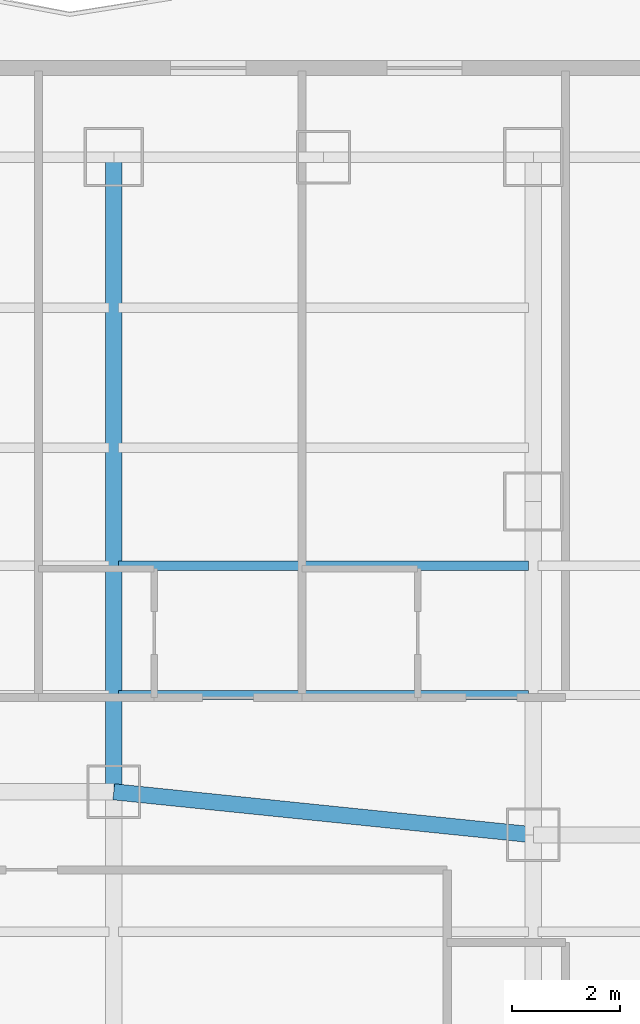
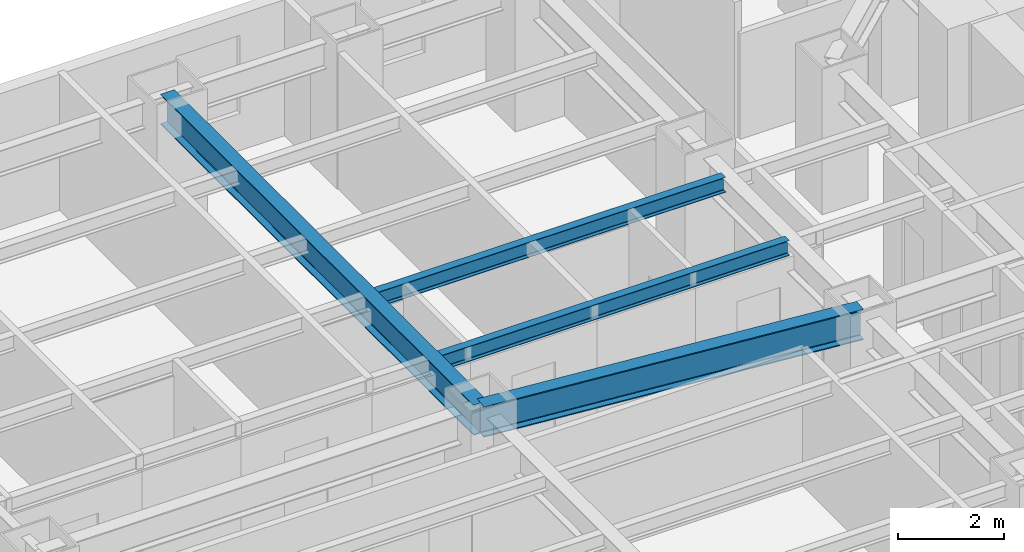
# One storey, part 15 of 33: 4 beams.
"""IFC4 building model written with IfcOpenShell, lengths in metres."""

from ifc_helpers import new_model, si_unit, direction, frame, origin, origin_2d, place, context, subcontext, project, spatial, i_section, extrude, material, material_profile, profile_set, type_object, element, save


model = new_model("IFC4")

# Units and contexts
model_context = context("Model", 3, precision=1e-05, world=origin(), true_north=direction((0.0, 1.0)))
body_context = subcontext(model_context, "Body", "Model", "MODEL_VIEW")
ifc_project = project(units=[si_unit("LENGTHUNIT", "METRE"), si_unit("AREAUNIT", "SQUARE_METRE"), si_unit("VOLUMEUNIT", "CUBIC_METRE"), si_unit("PLANEANGLEUNIT", "RADIAN"), si_unit("MASSUNIT", "GRAM", prefix="KILO")], contexts=[model_context])

# Site, building, storey
site_placement = place(None, origin())
site = spatial("IfcSite", under=ifc_project, at=site_placement, CompositionType="ELEMENT")
building_placement = place(site_placement, origin())
building = spatial("IfcBuilding", under=site, at=building_placement, Name="Hatsunagi Terrace Concourse", CompositionType="ELEMENT")
storey_placement = place(building_placement, frame((0.0, 0.0, 43.300048828125)))
storey = spatial("IfcBuildingStorey", under=building, at=storey_placement, Name="L10", CompositionType="ELEMENT", Elevation=43.300048828125)

# Beams
ifc_material_1 = material(Name="Steel SN490B", Category="steel")
ifc_material_profile_1 = material_profile(ifc_material_1, i_section(OverallWidth=0.300048828125, OverallDepth=0.699951171875, WebThickness=0.012939453125, FlangeThickness=0.02392578125, FilletRadius=0.02197265625, at=origin_2d()), Name="H-700x300x13x24")
ifc_profile_set_1 = profile_set([ifc_material_profile_1], Name="Steel SN490B")
beam_type_1 = type_object("IfcBeamType", Name="HotelFloorGirder_H_700x300", PredefinedType="BEAM", material=ifc_profile_set_1)
beam_1_placement = place(storey_placement, frame((11.39990234375, 36.800048828125, 2.780029296875), z_axis=(0.0, 1.0, 0.0), x_axis=(-1.0, 0.0, 0.0)))
element("IfcBeam", 1, at=beam_1_placement, inside=storey, type_object=beam_type_1, Name="Beam G-04 BM-L10-NS-11-36", PredefinedType="BEAM", context=body_context, shape_type="SweptSolid", body=[
    extrude(i_section(OverallWidth=0.300048828125, OverallDepth=0.699951171875, WebThickness=0.012939453125, FlangeThickness=0.02392578125, FilletRadius=0.02197265625, at=origin_2d()), origin(), (0.0, 0.0, 1.0), 11.800048828125),
])
beam_2_placement = place(storey_placement, frame((11.39990234375, 36.800048828125, 2.780029296875), z_axis=(0.994780871372, -0.102034395927, 0.0), x_axis=(0.102034395927, 0.994780871372, 0.0)))
element("IfcBeam", 2, at=beam_2_placement, inside=storey, type_object=beam_type_1, Name="Beam G-04 BM-L10-EW-2", PredefinedType="BEAM", context=body_context, shape_type="SweptSolid", body=[
    extrude(i_section(OverallWidth=0.300048828125, OverallDepth=0.699951171875, WebThickness=0.012939453125, FlangeThickness=0.02392578125, FilletRadius=0.02197265625, at=origin_2d()), origin(), (0.0, 0.0, 1.0), 7.841064453125),
])
ifc_material_2 = material(Name="Steel SN490B", Category="steel")
ifc_material_profile_2 = material_profile(ifc_material_2, i_section(OverallWidth=0.175048828125, OverallDepth=0.35009765625, WebThickness=0.007080078125, FlangeThickness=0.010986328125, FilletRadius=0.012939453125, at=origin_2d()), Name="H-350x175x7x11")
ifc_profile_set_2 = profile_set([ifc_material_profile_2], Name="Steel SN490B")
beam_type_2 = type_object("IfcBeamType", Name="HotelJoist_H_350x175", PredefinedType="JOIST", material=ifc_profile_set_2)
for number, where, z_axis, x_axis, name in (
    (3, (11.485107421875, 38.60009765625, 2.954833984375), (1.0, 0.0, 0.0), (0.0, 1.0, 0.0), "Beam J-02 J-L10-W-11-386"),
    (4, (11.485107421875, 41.0, 2.954833984375), (1.0, 0.0, 0.0), (0.0, 1.0, 0.0), "Beam J-02 J-L10-W-11-410"),
):
    element("IfcBeam", number, at=place(storey_placement, frame(where, z_axis=z_axis, x_axis=x_axis)), inside=storey, type_object=beam_type_2, Name=name, PredefinedType="JOIST", context=body_context, shape_type="SweptSolid", body=[
        extrude(i_section(OverallWidth=0.175048828125, OverallDepth=0.35009765625, WebThickness=0.007080078125, FlangeThickness=0.010986328125, FilletRadius=0.012939453125, at=origin_2d()), origin(), (0.0, 0.0, 1.0), 7.6298828125),
    ])

save(model, "model.ifc")
